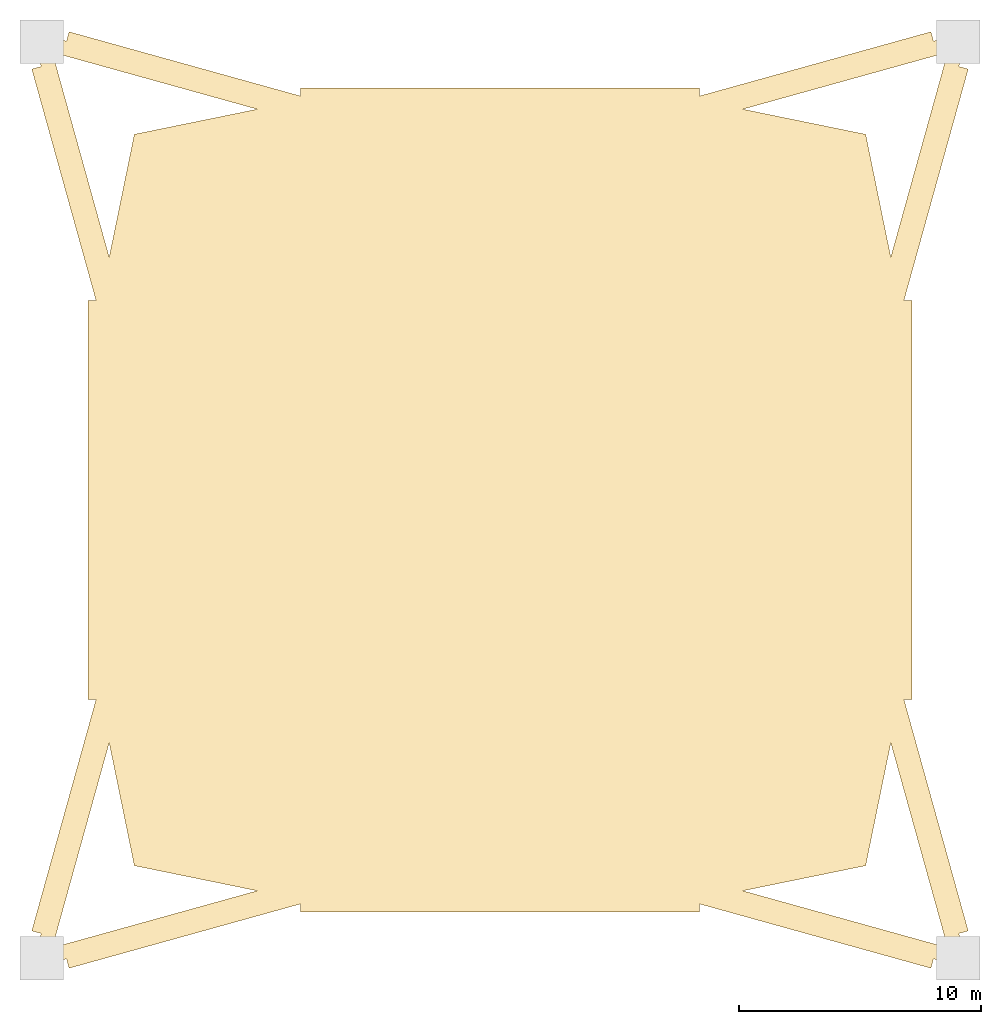
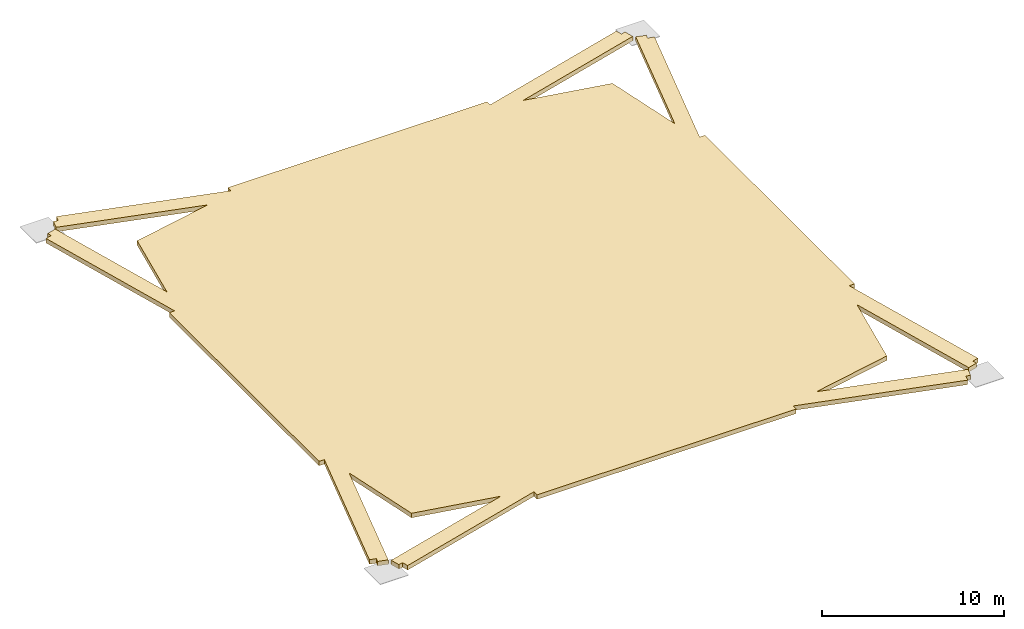
# One storey, part 2 of 2: 1 covering.
"""IFC4 building model written with IfcOpenShell, lengths in metres."""

import ifcopenshell
import ifcopenshell.guid

model = None  # the IFC model being written
_history = None  # IfcOwnerHistory: only IFC2X3 demands one
_inside = {}  # id of a spatial element -> (the spatial element, [elements in it])
_under = {}  # id of a project, library or spatial element -> (it, [spatial elements below it])
_declared = {}  # id of a project -> (the project, [libraries it declares])
_typed = {}  # id of a type object -> (the type object, [elements of that type])
_made_of = {}  # id of a material, layer set ... -> (it, [elements and type objects made of it])


def new_model(schema):
    """Start an empty IFC model of exactly this schema.

    Asked for "IFC4X3", IfcOpenShell would pick the latest addendum, in which some entities
    have other attributes; the version numbers below select the first issue.
    IFC2X3 requires an IfcOwnerHistory on every rooted entity: one is made here for all.
    """
    global model, _history
    if schema == "IFC4X3":
        model = ifcopenshell.file(schema_version=(4, 3, 0, 0))
    else:
        model = ifcopenshell.file(schema=schema)
    _inside.clear()
    _under.clear()
    _declared.clear()
    _typed.clear()
    _made_of.clear()
    _history = None
    if model.schema == "IFC2X3":
        org = make("IfcOrganization", Name="unknown")
        user = make(
            "IfcPersonAndOrganization",
            ThePerson=make("IfcPerson", FamilyName="unknown"),
            TheOrganization=org,
        )
        app = make(
            "IfcApplication",
            ApplicationDeveloper=org,
            Version="unknown",
            ApplicationFullName="unknown",
            ApplicationIdentifier="unknown",
        )
        _history = make(
            "IfcOwnerHistory",
            OwningUser=user,
            OwningApplication=app,
            ChangeAction="ADDED",
            CreationDate=0,
        )
    return model


def make(cls, **values):
    """One entity of the class cls with the attributes given. An attribute that is None is left unset."""
    return model.create_entity(
        cls, **{name: value for name, value in values.items() if value is not None}
    )


def rooted(cls, **values):
    """An entity with a GlobalId (a new one), such as an element, a storey or a relation."""
    return make(cls, GlobalId=ifcopenshell.guid.new(), OwnerHistory=_history, **values)


def si_unit(unit_type, name, prefix=None):
    """IfcSIUnit, for example si_unit("LENGTHUNIT", "METRE", prefix="MILLI")."""
    return make("IfcSIUnit", UnitType=unit_type, Prefix=prefix, Name=name)


def assignment(units):
    """IfcUnitAssignment: the units of a project."""
    return None if units is None else make("IfcUnitAssignment", Units=units)


def point(xyz):
    """IfcCartesianPoint."""
    return None if xyz is None else make("IfcCartesianPoint", Coordinates=xyz)


def direction(xyz):
    """IfcDirection."""
    return None if xyz is None else make("IfcDirection", DirectionRatios=xyz)


def frame(location, z_axis=None, x_axis=None):
    """IfcAxis2Placement3D, a coordinate frame: its origin and axes. An axis left out is left unset."""
    return make(
        "IfcAxis2Placement3D",
        Location=point(location),
        Axis=direction(z_axis),
        RefDirection=direction(x_axis),
    )


def origin():
    """The frame at (0, 0, 0) with its axes left unset."""
    return frame((0.0, 0.0, 0.0))


def place(relative_to, where):
    """IfcLocalPlacement: puts the frame where relative to a parent placement (None: the world)."""
    return make(
        "IfcLocalPlacement", PlacementRelTo=relative_to, RelativePlacement=where
    )


def context(
    kind, dimensions, precision=None, world=None, true_north=None, identifier=None
):
    """IfcGeometricRepresentationContext, for example the 3D "Model" context."""
    return make(
        "IfcGeometricRepresentationContext",
        ContextIdentifier=identifier,
        ContextType=kind,
        CoordinateSpaceDimension=dimensions,
        Precision=precision,
        WorldCoordinateSystem=world,
        TrueNorth=true_north,
    )


def subcontext(parent, identifier, kind, view, scale=None):
    """IfcGeometricRepresentationSubContext, for example "Body" below "Model"."""
    return make(
        "IfcGeometricRepresentationSubContext",
        ContextIdentifier=identifier,
        ContextType=kind,
        ParentContext=parent,
        TargetScale=scale,
        TargetView=view,
    )


def project(units=None, contexts=None):
    """IfcProject with its units and contexts."""
    return rooted(
        "IfcProject",
        Name="project",
        RepresentationContexts=contexts,
        UnitsInContext=assignment(units),
    )


def spatial(cls, under=None, at=None, **own):
    """A site, building, storey or space (cls), placed at a placement, below another one or the project."""
    s = rooted(cls, ObjectPlacement=at, **own)
    if under is not None:
        _under.setdefault(under.id(), (under, []))[1].append(s)
    return s


def polyline(points):
    """IfcPolyline through the points."""
    return make("IfcPolyline", Points=[point(p) for p in points])


def outline(outer, holes=None, kind="AREA"):
    """IfcArbitraryClosedProfileDef: a profile drawn as a closed curve; with holes, ...WithVoids."""
    if holes is None:
        return make("IfcArbitraryClosedProfileDef", ProfileType=kind, OuterCurve=outer)
    return make(
        "IfcArbitraryProfileDefWithVoids",
        ProfileType=kind,
        OuterCurve=outer,
        InnerCurves=holes,
    )


def extrude(swept, where, along, depth):
    """IfcExtrudedAreaSolid: the profile swept, set in the frame where, extruded along a direction by depth."""
    return make(
        "IfcExtrudedAreaSolid",
        SweptArea=swept,
        Position=where,
        ExtrudedDirection=direction(along),
        Depth=depth,
    )


def shape(context_of_items, identifier, shape_type, items):
    """IfcShapeRepresentation: the items that make up one representation, for example the "Body"."""
    return make(
        "IfcShapeRepresentation",
        ContextOfItems=context_of_items,
        RepresentationIdentifier=identifier,
        RepresentationType=shape_type,
        Items=items,
    )


def material(Name=None, Category=None):
    """IfcMaterial."""
    return make("IfcMaterial", Name=Name, Category=Category)


def layer(
    of_material, thickness, ventilated=None, Name=None, Category=None, Priority=None
):
    """IfcMaterialLayer: one layer of a wall or slab, of a material (None: an air gap)."""
    return make(
        "IfcMaterialLayer",
        Material=of_material,
        LayerThickness=thickness,
        IsVentilated=ventilated,
        Name=Name,
        Category=Category,
        Priority=Priority,
    )


def layer_set(layers, Name=None):
    """IfcMaterialLayerSet."""
    return make("IfcMaterialLayerSet", MaterialLayers=layers, LayerSetName=Name)


def made_of(thing, what):
    """Note that an element or type object is made of a material, layer set ...; save() writes the relation."""
    if what is not None:
        _made_of.setdefault(what.id(), (what, []))[1].append(thing)
    return thing


def type_object(cls, material=None, **own):
    """A type object (cls), such as IfcWallType, which elements share."""
    return made_of(rooted(cls, **own), material)


def element(
    cls,
    number,
    at=None,
    inside=None,
    cuts=None,
    type_object=None,
    material=None,
    context=None,
    identifier="Body",
    shape_type=None,
    held_by="IfcProductDefinitionShape",
    body=None,
    shapes=None,
    **own,
):
    """One element of the class cls, such as IfcWall. Its Tag is "e" and its number.

    at: its placement. inside: the storey or other place that contains it. cuts: it is an
    opening in that element (IfcRelVoidsElement). A single representation is given by context,
    identifier, shape_type and body (its items); several are given by shapes. held_by: the class
    of the entity that holds the representations. save() writes the other relations.
    """
    e = rooted(cls, Tag="e%d" % number, ObjectPlacement=at, **own)
    if body is not None:
        shapes = [shape(context, identifier, shape_type, body)]
    if shapes is not None:
        e.Representation = make(held_by, Representations=shapes)
    if inside is not None:
        _inside.setdefault(inside.id(), (inside, []))[1].append(e)
    if cuts is not None:
        rooted(
            "IfcRelVoidsElement", RelatingBuildingElement=cuts, RelatedOpeningElement=e
        )
    if type_object is not None:
        _typed.setdefault(type_object.id(), (type_object, []))[1].append(e)
    return made_of(e, material)


def aggregate(whole, parts):
    """IfcRelAggregates: a whole, such as a stair, and the parts it consists of."""
    return rooted("IfcRelAggregates", RelatingObject=whole, RelatedObjects=parts)


def save(model, path):
    """Write the relations noted so far, then the file.

    IfcRelAggregates (storeys below a building ...), IfcRelContainedInSpatialStructure (elements
    in a storey), IfcRelDefinesByType, IfcRelAssociatesMaterial and IfcRelDeclares: one each for
    every whole, place, type object, material and project.
    """
    for whole, parts in _under.values():
        aggregate(whole, parts)
    for where, things in _inside.values():
        rooted(
            "IfcRelContainedInSpatialStructure",
            RelatedElements=things,
            RelatingStructure=where,
        )
    for kind, things in _typed.values():
        rooted("IfcRelDefinesByType", RelatedObjects=things, RelatingType=kind)
    for what, things in _made_of.values():
        rooted("IfcRelAssociatesMaterial", RelatedObjects=things, RelatingMaterial=what)
    for by, libraries in _declared.values():
        rooted("IfcRelDeclares", RelatingContext=by, RelatedDefinitions=libraries)
    model.write(path)


model = new_model("IFC4")

# Units and contexts
model_context = context("Model", 3, precision=1e-05, world=origin(), true_north=direction((0.0, 1.0)))
body_context = subcontext(model_context, "Body", "Model", "MODEL_VIEW")
ifc_project = project(units=[si_unit("LENGTHUNIT", "METRE"), si_unit("AREAUNIT", "SQUARE_METRE"), si_unit("VOLUMEUNIT", "CUBIC_METRE"), si_unit("PLANEANGLEUNIT", "RADIAN"), si_unit("MASSUNIT", "GRAM", prefix="KILO")], contexts=[model_context])

# Site, building, storey
site_placement = place(None, origin())
site = spatial("IfcSite", under=ifc_project, at=site_placement, CompositionType="ELEMENT")
building_placement = place(site_placement, origin())
building = spatial("IfcBuilding", under=site, at=building_placement, Name="Iwan Alto Co-Living Towers", CompositionType="ELEMENT")
storey_placement = place(building_placement, frame((0.0, 0.0, 288.5)))
storey = spatial("IfcBuildingStorey", under=building, at=storey_placement, Name="PARAPET", CompositionType="ELEMENT", Elevation=288.5)

# Covering
ifc_material_1 = material(Name="Aluminium 6063-T6 bronze anodised standing-seam roofing", Category="aluminium")
ifc_layer_1 = layer(ifc_material_1, 0.050048828125, Name="Roofing", Category="Finish")
ifc_material_2 = material(Name="Steel ASTM A653 SS Gr 33 galvanised deck", Category="steel")
ifc_layer_2 = layer(ifc_material_2, 0.25, Name="Steel deck", Category="LoadBearing")
ifc_layer_set = layer_set([ifc_layer_1, ifc_layer_2], Name="CROWN CAP ROOFING")
covering_type = type_object("IfcCoveringType", Name="CROWN CAP ROOFING", PredefinedType="ROOFING", material=ifc_layer_set)
covering_placement = place(storey_placement, origin())
element("IfcCovering", 1, at=covering_placement, inside=storey, type_object=covering_type, Name="T1 crown cap", PredefinedType="ROOFING", context=body_context, shape_type="SweptSolid", body=[
    extrude(outline(polyline([(-19.001708984375, -18.1455078125), (-18.92822265625, -17.880859375), (-19.313720703125, -17.773681640625), (-16.661376953125, -8.22509765625), (-17.0, -8.22509765625), (-17.0, 8.22509765625), (-16.661376953125, 8.22509765625), (-19.313720703125, 17.773681640625), (-18.92822265625, 17.880859375), (-19.001708984375, 18.1455078125), (-18.423583984375, 18.305908203125), (-16.12060546875, 10.015380859375), (-15.084228515625, 15.084228515625), (-10.015380859375, 16.12060546875), (-18.305908203125, 18.423583984375), (-18.1455078125, 19.001708984375), (-17.880859375, 18.92822265625), (-17.773681640625, 19.313720703125), (-8.22509765625, 16.661376953125), (-8.22509765625, 17.0), (8.22509765625, 17.0), (8.22509765625, 16.661376953125), (17.773681640625, 19.313720703125), (17.880859375, 18.92822265625), (18.1455078125, 19.001708984375), (18.305908203125, 18.423583984375), (10.015380859375, 16.12060546875), (15.084228515625, 15.084228515625), (16.12060546875, 10.015380859375), (18.423583984375, 18.305908203125), (19.001708984375, 18.1455078125), (18.92822265625, 17.880859375), (19.313720703125, 17.773681640625), (16.661376953125, 8.22509765625), (17.0, 8.22509765625), (17.0, -8.22509765625), (16.661376953125, -8.22509765625), (19.313720703125, -17.773681640625), (18.92822265625, -17.880859375), (19.001708984375, -18.1455078125), (18.423583984375, -18.305908203125), (16.12060546875, -10.015380859375), (15.084228515625, -15.084228515625), (10.015380859375, -16.12060546875), (18.305908203125, -18.423583984375), (18.1455078125, -19.001708984375), (17.880859375, -18.92822265625), (17.773681640625, -19.313720703125), (8.22509765625, -16.661376953125), (8.22509765625, -17.0), (-8.22509765625, -17.0), (-8.22509765625, -16.661376953125), (-17.773681640625, -19.313720703125), (-17.880859375, -18.92822265625), (-18.1455078125, -19.001708984375), (-18.305908203125, -18.423583984375), (-10.015380859375, -16.12060546875), (-15.084228515625, -15.084228515625), (-16.12060546875, -10.015380859375), (-18.423583984375, -18.305908203125), (-19.001708984375, -18.1455078125)])), origin(), (0.0, 0.0, 1.0), 0.300048828125),
])

save(model, "model.ifc")
